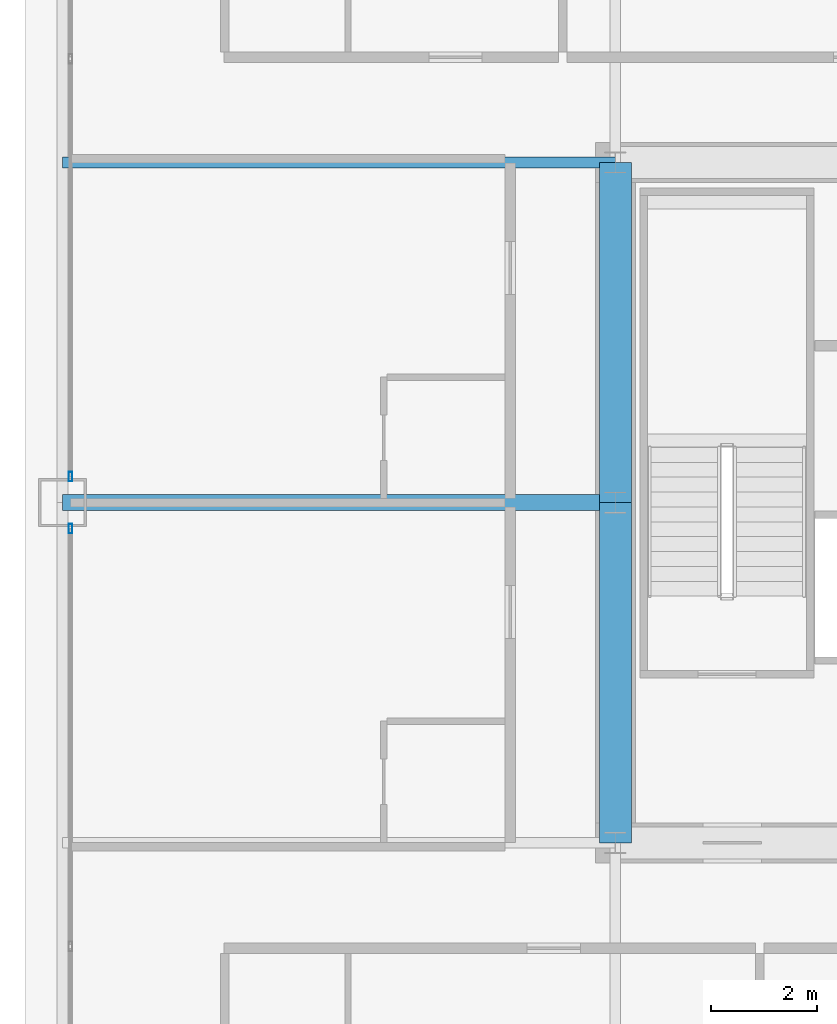
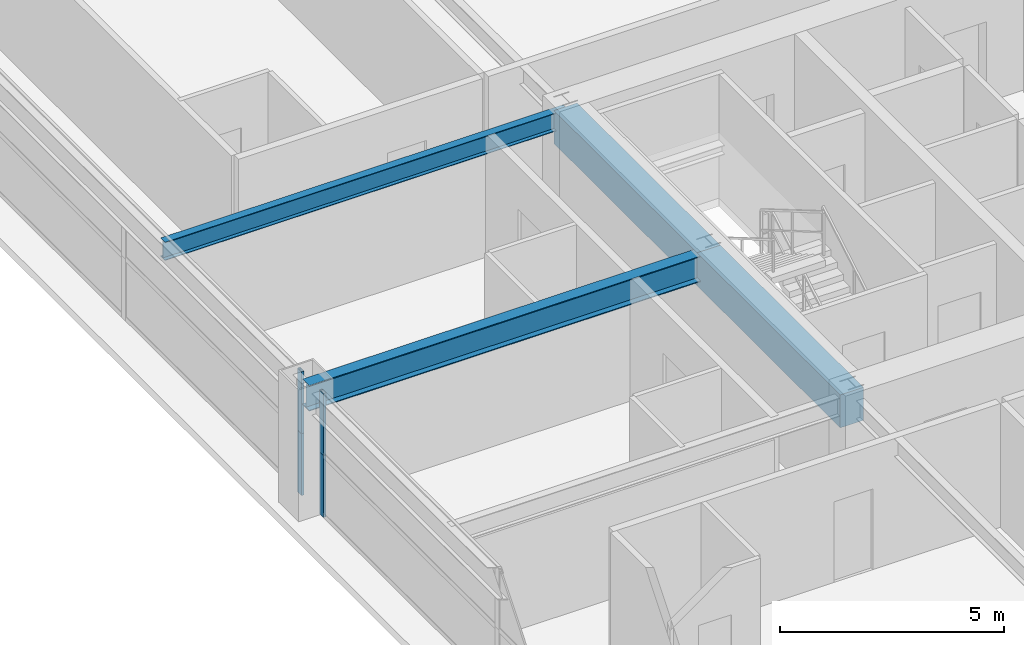
# One storey, part 12 of 39: 4 beams, 4 members, 2 elements without a shape of their own.
"""IFC4 building model written with IfcOpenShell, lengths in metres."""

from ifc_helpers import new_model, si_unit, direction, frame, origin, origin_2d, place, context, subcontext, project, spatial, rectangle, hollow_rectangle, i_section, extrude, source, transform, mapped, material, layer, layer_set, material_profile, profile_set, type_object, element, aggregate, save


model = new_model("IFC4")

# Units and contexts
model_context = context("Model", 3, precision=1e-05, world=origin(), true_north=direction((0.0, 1.0)))
body_context = subcontext(model_context, "Body", "Model", "MODEL_VIEW")
ifc_project = project(units=[si_unit("LENGTHUNIT", "METRE"), si_unit("AREAUNIT", "SQUARE_METRE"), si_unit("VOLUMEUNIT", "CUBIC_METRE"), si_unit("PLANEANGLEUNIT", "RADIAN"), si_unit("MASSUNIT", "GRAM", prefix="KILO"), si_unit("THERMODYNAMICTEMPERATUREUNIT", "KELVIN"), si_unit("POWERUNIT", "WATT")], contexts=[model_context])

# Site, building, storey
site_placement = place(None, origin())
site = spatial("IfcSite", under=ifc_project, at=site_placement, CompositionType="ELEMENT")
building_placement = place(site_placement, origin())
building = spatial("IfcBuilding", under=site, at=building_placement, Name="Yuzanri Waterfront Tower", CompositionType="ELEMENT")
storey_placement = place(building_placement, frame((0.0, 0.0, 134.39990234375)))
storey = spatial("IfcBuildingStorey", under=building, at=storey_placement, Name="L35", CompositionType="ELEMENT", Elevation=134.39990234375)

# Beams
ifc_material_1 = material(Name="Concrete C60", Category="concrete")
ifc_material_profile_1 = material_profile(ifc_material_1, rectangle(XDim=0.60009765625, YDim=0.89990234375, at=origin_2d()), Name="RC 600x900")
ifc_profile_set_1 = profile_set([ifc_material_profile_1], Name="Concrete C60")
beam_type_1 = type_object("IfcBeamType", Name="Core Coupling Lintel Concrete C60 600x900", PredefinedType="LINTEL", material=ifc_profile_set_1)
shared_shape_1 = source(origin(), body_context, "Body", "SweptSolid", [
    extrude(rectangle(XDim=0.60009765625, YDim=0.89990234375, at=origin_2d()), origin(), (0.0, 0.0, 1.0), 6.400146484375),
])
beam_1_placement = place(storey_placement, frame((23.800048828125, 19.39990234375, 2.93017578125), z_axis=(0.0, 1.0, 0.0), x_axis=(-1.0, 0.0, 0.0)))
element("IfcBeam", 1, at=beam_1_placement, inside=storey, type_object=beam_type_1, Name="L35 Core Tie Beam CW1", PredefinedType="LINTEL", context=body_context, shape_type="MappedRepresentation", body=[
    mapped(shared_shape_1, transform((0.0, 0.0, 0.0), scale=1.0)),
])
shared_shape_2 = source(origin(), body_context, "Body", "SweptSolid", [
    extrude(rectangle(XDim=0.60009765625, YDim=0.89990234375, at=origin_2d()), origin(), (0.0, 0.0, 1.0), 6.39990234375),
])
beam_2_placement = place(storey_placement, frame((23.800048828125, 25.800048828125, 2.93017578125), z_axis=(0.0, 1.0, 0.0), x_axis=(-1.0, 0.0, 0.0)))
element("IfcBeam", 2, at=beam_2_placement, inside=storey, type_object=beam_type_1, Name="L35 Core Tie Beam CW2", PredefinedType="LINTEL", context=body_context, shape_type="MappedRepresentation", body=[
    mapped(shared_shape_2, transform((0.0, 0.0, 0.0), scale=1.0)),
])
ifc_material_2 = material(Name="Steel Q355B", Category="steel")
ifc_material_profile_2 = material_profile(ifc_material_2, i_section(OverallWidth=0.300048828125, OverallDepth=0.699951171875, WebThickness=0.012939453125, FlangeThickness=0.02392578125, at=origin_2d()), Name="HN 700x300x13x24")
ifc_profile_set_2 = profile_set([ifc_material_profile_2], Name="Steel Q355B")
beam_type_2 = type_object("IfcBeamType", Name="Primary Floor Girder Q355B HN 700x300", PredefinedType="BEAM", material=ifc_profile_set_2)
shared_shape_3 = source(origin(), body_context, "Body", "SweptSolid", [
    extrude(i_section(OverallWidth=0.300048828125, OverallDepth=0.699951171875, WebThickness=0.012939453125, FlangeThickness=0.02392578125, at=origin_2d()), origin(), (0.0, 0.0, 1.0), 10.400146484375),
])
beam_3_placement = place(storey_placement, frame((23.800048828125, 25.800048828125, 3.030029296875), z_axis=(-1.0, 0.0, 0.0), x_axis=(0.0, -1.0, 0.0)))
element("IfcBeam", 3, at=beam_3_placement, inside=storey, type_object=beam_type_2, Name="L35 West Grid Girder", PredefinedType="BEAM", context=body_context, shape_type="MappedRepresentation", body=[
    mapped(shared_shape_3, transform((0.0, 0.0, 0.0), scale=1.0)),
])
ifc_material_3 = material(Name="Steel Q355B", Category="steel")
ifc_material_profile_3 = material_profile(ifc_material_3, i_section(OverallWidth=0.199951171875, OverallDepth=0.5, WebThickness=0.010009765625, FlangeThickness=0.01611328125, at=origin_2d()), Name="HN 500x200x10x16")
ifc_profile_set_3 = profile_set([ifc_material_profile_3], Name="Steel Q355B")
beam_type_3 = type_object("IfcBeamType", Name="Secondary Floor Beam Q355B HN 500x200", PredefinedType="BEAM", material=ifc_profile_set_3)
shared_shape_4 = source(origin(), body_context, "Body", "SweptSolid", [
    extrude(i_section(OverallWidth=0.199951171875, OverallDepth=0.5, WebThickness=0.010009765625, FlangeThickness=0.01611328125, at=origin_2d()), origin(), (0.0, 0.0, 1.0), 10.400146484375),
])
beam_4_placement = place(storey_placement, frame((23.800048828125, 32.199951171875, 3.130126953125), z_axis=(-1.0, 0.0, 0.0), x_axis=(0.0, -1.0, 0.0)))
element("IfcBeam", 4, at=beam_4_placement, inside=storey, type_object=beam_type_3, Name="L35 West-North Core Line Beam", PredefinedType="BEAM", context=body_context, shape_type="MappedRepresentation", body=[
    mapped(shared_shape_4, transform((0.0, 0.0, 0.0), scale=1.0)),
])

# Curtain wall, members
ifc_material_4 = material(Name="Anodized Architectural Bronze", Category="metal")
ifc_layer = layer(ifc_material_4, 0.159912109375)
ifc_layer_set = layer_set([ifc_layer], Name="Anodized Architectural Bronze")
curtain_wall_type = type_object("IfcCurtainWallType", Name="Anodized Bronze Hotel Upper-Tier Solar-Control Unitized Curtain Wall 7800", PredefinedType="NOTDEFINED", material=ifc_layer_set)
curtain_wall_1_placement = place(storey_placement, origin())
curtain_wall_1 = element("IfcCurtainWall", 5, at=curtain_wall_1_placement, inside=storey, type_object=curtain_wall_type, Name="L35 Curtain Wall CW-L35-WL", PredefinedType="NOTDEFINED")
ifc_material_5 = material(Name="Anodized Architectural Bronze", Category="metal")
ifc_material_profile_4 = material_profile(ifc_material_5, hollow_rectangle(XDim=0.070068359375, YDim=0.179931640625, WallThickness=0.00390625, at=origin_2d()), Name="CWM 70x180")
ifc_profile_set_4 = profile_set([ifc_material_profile_4], Name="Anodized Architectural Bronze")
member_type = type_object("IfcMemberType", Name="Anodized Bronze Standard Curtain-Wall Mullion 70x180", PredefinedType="MULLION", material=ifc_profile_set_4)
shared_shape_5 = source(origin(), body_context, "Body", "SweptSolid", [
    extrude(hollow_rectangle(XDim=0.070068359375, YDim=0.179931640625, WallThickness=0.00390625, at=origin_2d()), origin(), (0.0, 0.0, 1.0), 1.68798828125),
])
member_1_placement = place(storey_placement, frame((13.550048828125, 25.31005859375, 0.0), z_axis=(0.0, 0.0, 1.0), x_axis=(1.0, 0.0, 0.0)))
member_1 = element("IfcMember", 6, at=member_1_placement, type_object=member_type, Name="CW-L35-WL Lower Mullion 02", PredefinedType="MULLION", context=body_context, shape_type="MappedRepresentation", body=[
    mapped(shared_shape_5, transform((0.0, 0.0, 0.0), scale=1.0)),
])
member_2_placement = place(storey_placement, frame((13.550048828125, 25.31005859375, 1.692138671875), z_axis=(0.0, 0.0, 1.0), x_axis=(1.0, 0.0, 0.0)))
member_2 = element("IfcMember", 7, at=member_2_placement, type_object=member_type, Name="CW-L35-WL Upper Mullion 02", PredefinedType="MULLION", context=body_context, shape_type="MappedRepresentation", body=[
    mapped(shared_shape_5, transform((0.0, 0.0, 0.0), scale=1.0)),
])
aggregate(curtain_wall_1, [member_1, member_2])

curtain_wall_2_placement = place(storey_placement, origin())
curtain_wall_2 = element("IfcCurtainWall", 8, at=curtain_wall_2_placement, inside=storey, type_object=curtain_wall_type, Name="L35 Curtain Wall CW-L35-WR", PredefinedType="NOTDEFINED")
member_3_placement = place(storey_placement, frame((13.550048828125, 26.2900390625, 0.0), z_axis=(0.0, 0.0, 1.0), x_axis=(1.0, 0.0, 0.0)))
member_3 = element("IfcMember", 9, at=member_3_placement, type_object=member_type, Name="CW-L35-WR Lower Mullion 00", PredefinedType="MULLION", context=body_context, shape_type="MappedRepresentation", body=[
    mapped(shared_shape_5, transform((0.0, 0.0, 0.0), scale=1.0)),
])
member_4_placement = place(storey_placement, frame((13.550048828125, 26.2900390625, 1.692138671875), z_axis=(0.0, 0.0, 1.0), x_axis=(1.0, 0.0, 0.0)))
member_4 = element("IfcMember", 10, at=member_4_placement, type_object=member_type, Name="CW-L35-WR Upper Mullion 00", PredefinedType="MULLION", context=body_context, shape_type="MappedRepresentation", body=[
    mapped(shared_shape_5, transform((0.0, 0.0, 0.0), scale=1.0)),
])
aggregate(curtain_wall_2, [member_3, member_4])

save(model, "model.ifc")
